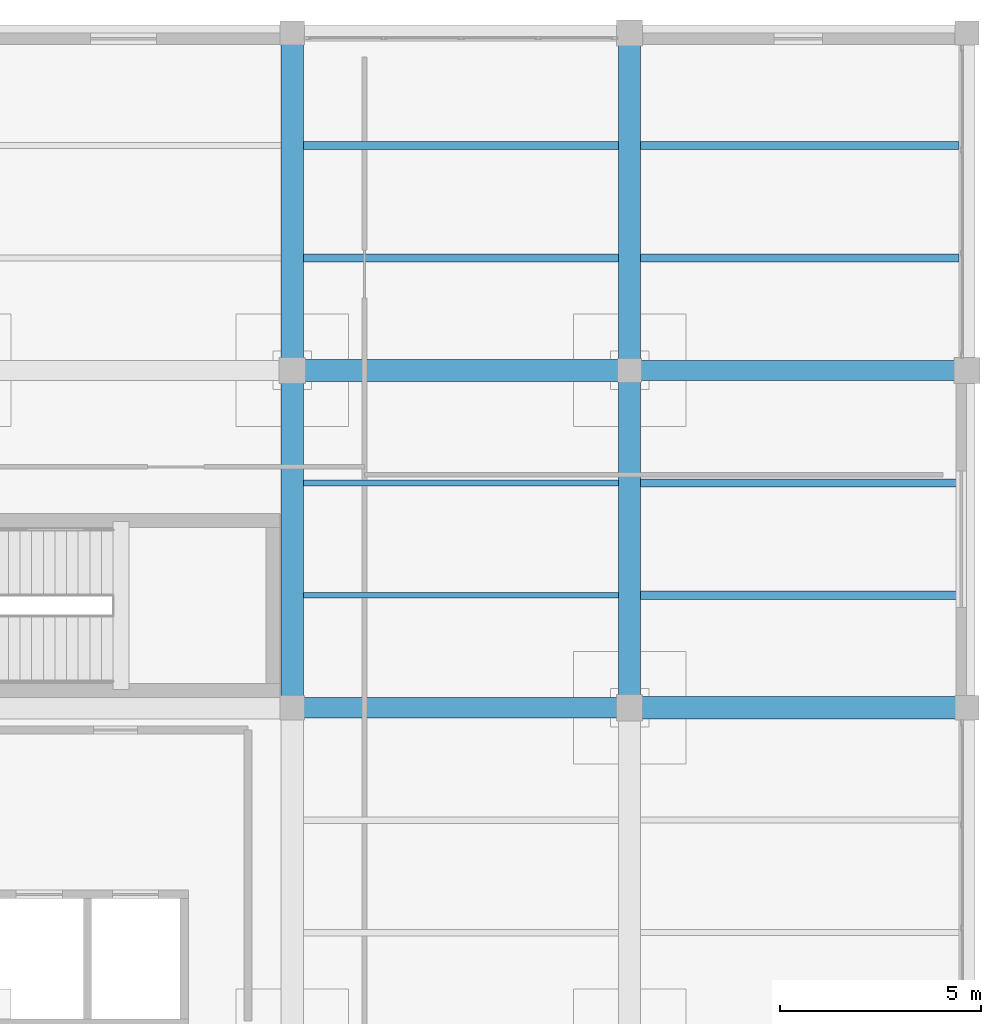
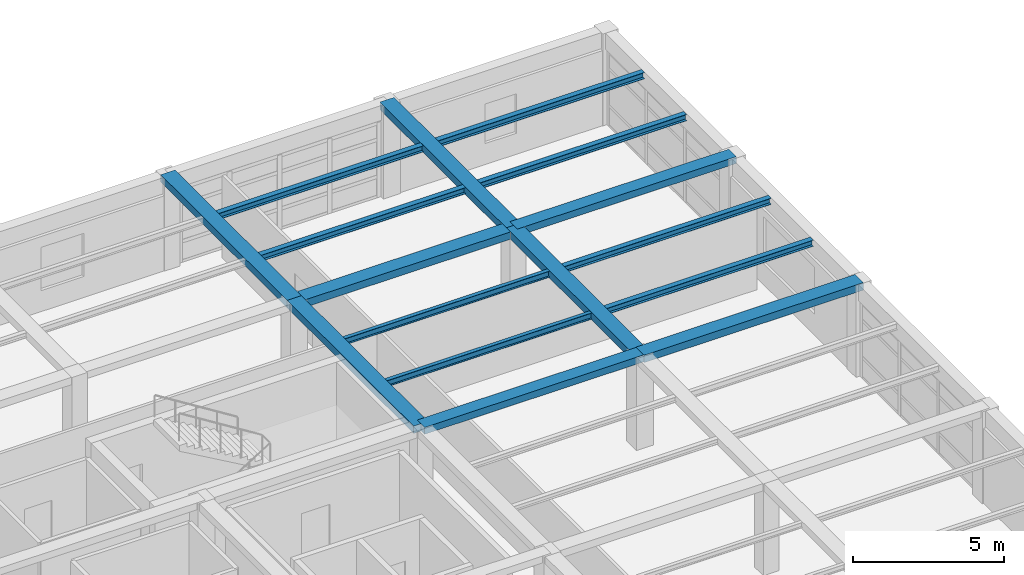
# One storey, part 14 of 26: 16 beams.
"""IFC4 building model written with IfcOpenShell, lengths in metres."""

from ifc_helpers import new_model, si_unit, direction, frame, origin, origin_2d, place, context, subcontext, project, spatial, rectangle, i_section, extrude, material, material_profile, profile_set, type_object, element, save


model = new_model("IFC4")

# Units and contexts
model_context = context("Model", 3, precision=1e-05, world=origin(), true_north=direction((0.0, 1.0)))
body_context = subcontext(model_context, "Body", "Model", "MODEL_VIEW")
ifc_project = project(units=[si_unit("LENGTHUNIT", "METRE"), si_unit("AREAUNIT", "SQUARE_METRE"), si_unit("VOLUMEUNIT", "CUBIC_METRE"), si_unit("PLANEANGLEUNIT", "RADIAN"), si_unit("MASSUNIT", "GRAM", prefix="KILO")], contexts=[model_context])

# Site, building, storey
site_placement = place(None, origin())
site = spatial("IfcSite", under=ifc_project, at=site_placement, CompositionType="ELEMENT")
building_placement = place(site_placement, origin())
building = spatial("IfcBuilding", under=site, at=building_placement, Name="Almacenes y Pasaje Nevantli", CompositionType="ELEMENT")
storey_placement = place(building_placement, frame((0.0, 0.0, 42.699951171875)))
storey = spatial("IfcBuildingStorey", under=building, at=storey_placement, Name="L10", CompositionType="ELEMENT", Elevation=42.699951171875)

# Beams
ifc_material_1 = material(Name="Concrete C35/45", Category="concrete")
ifc_material_profile_1 = material_profile(ifc_material_1, rectangle(XDim=0.5, YDim=0.280029296875, at=origin_2d()), Name="RC-BM-500x280")
ifc_profile_set_1 = profile_set([ifc_material_profile_1], Name="Concrete C35/45")
beam_type_1 = type_object("IfcBeamType", Name="BM-RC-500x280", PredefinedType="BEAM", material=ifc_profile_set_1)
beam_1_placement = place(storey_placement, frame((142.800048828125, 84.0, 3.580078125), z_axis=(1.0, 0.0, 0.0), x_axis=(0.0, 1.0, 0.0)))
element("IfcBeam", 1, at=beam_1_placement, inside=storey, type_object=beam_type_1, Name="L10 East-West Reinforced Concrete Beam #3810", PredefinedType="BEAM", context=body_context, shape_type="SweptSolid", body=[
    extrude(rectangle(XDim=0.5, YDim=0.280029296875, at=origin_2d()), origin(), (0.0, 0.0, 1.0), 8.39990234375),
])
beam_2_placement = place(storey_placement, frame((151.199951171875, 92.39990234375, 3.580078125), z_axis=(1.0, 0.0, 0.0), x_axis=(0.0, 1.0, 0.0)))
element("IfcBeam", 2, at=beam_2_placement, inside=storey, type_object=beam_type_1, Name="L10 East-West Reinforced Concrete Beam #3816", PredefinedType="BEAM", context=body_context, shape_type="SweptSolid", body=[
    extrude(rectangle(XDim=0.5, YDim=0.280029296875, at=origin_2d()), origin(), (0.0, 0.0, 1.0), 8.400146484375),
])
ifc_material_2 = material(Name="Concrete C35/45", Category="concrete")
ifc_material_profile_2 = material_profile(ifc_material_2, rectangle(XDim=0.550048828125, YDim=0.300048828125, at=origin_2d()), Name="RC-BM-550x300")
ifc_profile_set_2 = profile_set([ifc_material_profile_2], Name="Concrete C35/45")
beam_type_2 = type_object("IfcBeamType", Name="BM-RC-550x300", PredefinedType="BEAM", material=ifc_profile_set_2)
beam_3_placement = place(storey_placement, frame((151.199951171875, 84.0, 3.570068359375), z_axis=(1.0, 0.0, 0.0), x_axis=(0.0, 1.0, 0.0)))
element("IfcBeam", 3, at=beam_3_placement, inside=storey, type_object=beam_type_2, Name="L10 East-West Reinforced Concrete Beam #3811", PredefinedType="BEAM", context=body_context, shape_type="SweptSolid", body=[
    extrude(rectangle(XDim=0.550048828125, YDim=0.300048828125, at=origin_2d()), origin(), (0.0, 0.0, 1.0), 8.400146484375),
])
for number, where, z_axis, x_axis, name in (
    (4, (142.800048828125, 92.39990234375, 3.570068359375), (1.0, 0.0, 0.0), (0.0, 1.0, 0.0), "L10 East-West Reinforced Concrete Beam #3815"),
    (5, (142.800048828125, 84.0, 3.570068359375), (0.0, 1.0, 0.0), (-1.0, 0.0, 0.0), "L10 North-South Reinforced Concrete Beam #3834"),
):
    element("IfcBeam", number, at=place(storey_placement, frame(where, z_axis=z_axis, x_axis=x_axis)), inside=storey, type_object=beam_type_2, Name=name, PredefinedType="BEAM", context=body_context, shape_type="SweptSolid", body=[
        extrude(rectangle(XDim=0.550048828125, YDim=0.300048828125, at=origin_2d()), origin(), (0.0, 0.0, 1.0), 8.39990234375),
    ])
beam_4_placement = place(storey_placement, frame((142.800048828125, 92.39990234375, 3.570068359375), z_axis=(0.0, 1.0, 0.0), x_axis=(-1.0, 0.0, 0.0)))
element("IfcBeam", 6, at=beam_4_placement, inside=storey, type_object=beam_type_2, Name="L10 North-South Reinforced Concrete Beam #3835", PredefinedType="BEAM", context=body_context, shape_type="SweptSolid", body=[
    extrude(rectangle(XDim=0.550048828125, YDim=0.300048828125, at=origin_2d()), origin(), (0.0, 0.0, 1.0), 8.400146484375),
])
beam_5_placement = place(storey_placement, frame((151.199951171875, 84.0, 3.570068359375), z_axis=(0.0, 1.0, 0.0), x_axis=(-1.0, 0.0, 0.0)))
element("IfcBeam", 7, at=beam_5_placement, inside=storey, type_object=beam_type_2, Name="L10 North-South Reinforced Concrete Beam #3838", PredefinedType="BEAM", context=body_context, shape_type="SweptSolid", body=[
    extrude(rectangle(XDim=0.550048828125, YDim=0.300048828125, at=origin_2d()), origin(), (0.0, 0.0, 1.0), 8.39990234375),
])
beam_6_placement = place(storey_placement, frame((151.199951171875, 92.39990234375, 3.570068359375), z_axis=(0.0, 1.0, 0.0), x_axis=(-1.0, 0.0, 0.0)))
element("IfcBeam", 8, at=beam_6_placement, inside=storey, type_object=beam_type_2, Name="L10 North-South Reinforced Concrete Beam #3839", PredefinedType="BEAM", context=body_context, shape_type="SweptSolid", body=[
    extrude(rectangle(XDim=0.550048828125, YDim=0.300048828125, at=origin_2d()), origin(), (0.0, 0.0, 1.0), 8.400146484375),
])
ifc_material_3 = material(Name="Steel ASTM A992", Category="steel")
ifc_material_profile_3 = material_profile(ifc_material_3, i_section(OverallWidth=0.14697265625, OverallDepth=0.257080078125, WebThickness=0.006591796875, FlangeThickness=0.01123046875, at=origin_2d()), Name="IR 254x38.7")
ifc_profile_set_3 = profile_set([ifc_material_profile_3], Name="Steel ASTM A992")
beam_type_3 = type_object("IfcBeamType", Name="BM-STL-IR-254x38p7", PredefinedType="JOIST", material=ifc_profile_set_3)
for number, where, z_axis, x_axis, name in (
    (9, (143.074951171875, 86.800048828125, 3.58349609375), (1.0, 0.0, 0.0), (0.0, 1.0, 0.0), "L10 Secondary Steel Floor Joist #1503"),
    (10, (143.074951171875, 89.60009765625, 3.58349609375), (1.0, 0.0, 0.0), (0.0, 1.0, 0.0), "L10 Secondary Steel Floor Joist #1504"),
):
    element("IfcBeam", number, at=place(storey_placement, frame(where, z_axis=z_axis, x_axis=x_axis)), inside=storey, type_object=beam_type_3, Name=name, PredefinedType="JOIST", context=body_context, shape_type="SweptSolid", body=[
        extrude(i_section(OverallWidth=0.14697265625, OverallDepth=0.257080078125, WebThickness=0.006591796875, FlangeThickness=0.01123046875, at=origin_2d()), origin(), (0.0, 0.0, 1.0), 7.85009765625),
    ])
ifc_material_4 = material(Name="Steel ASTM A992", Category="steel")
ifc_material_profile_4 = material_profile(ifc_material_4, i_section(OverallWidth=0.202880859375, OverallDepth=0.25390625, WebThickness=0.00732421875, FlangeThickness=0.010986328125, at=origin_2d()), Name="IR 254x49.1")
ifc_profile_set_4 = profile_set([ifc_material_profile_4], Name="Steel ASTM A992")
beam_type_4 = type_object("IfcBeamType", Name="BM-STL-IR-254x49p1", PredefinedType="JOIST", material=ifc_profile_set_4)
for number, where, z_axis, x_axis, name in (
    (11, (143.074951171875, 95.199951171875, 3.5849609375), (1.0, 0.0, 0.0), (0.0, 1.0, 0.0), "L10 Secondary Steel Floor Joist #1505"),
    (12, (143.074951171875, 98.0, 3.5849609375), (1.0, 0.0, 0.0), (0.0, 1.0, 0.0), "L10 Secondary Steel Floor Joist #1506"),
):
    element("IfcBeam", number, at=place(storey_placement, frame(where, z_axis=z_axis, x_axis=x_axis)), inside=storey, type_object=beam_type_4, Name=name, PredefinedType="JOIST", context=body_context, shape_type="SweptSolid", body=[
        extrude(i_section(OverallWidth=0.202880859375, OverallDepth=0.25390625, WebThickness=0.00732421875, FlangeThickness=0.010986328125, at=origin_2d()), origin(), (0.0, 0.0, 1.0), 7.85009765625),
    ])
for number, where, z_axis, x_axis, name in (
    (13, (151.47509765625, 86.800048828125, 3.5849609375), (1.0, 0.0, 0.0), (0.0, 1.0, 0.0), "L10 Secondary Steel Floor Joist #1511"),
    (14, (151.47509765625, 89.60009765625, 3.5849609375), (1.0, 0.0, 0.0), (0.0, 1.0, 0.0), "L10 Secondary Steel Floor Joist #1512"),
):
    element("IfcBeam", number, at=place(storey_placement, frame(where, z_axis=z_axis, x_axis=x_axis)), inside=storey, type_object=beam_type_4, Name=name, PredefinedType="JOIST", context=body_context, shape_type="SweptSolid", body=[
        extrude(i_section(OverallWidth=0.202880859375, OverallDepth=0.25390625, WebThickness=0.00732421875, FlangeThickness=0.010986328125, at=origin_2d()), origin(), (0.0, 0.0, 1.0), 7.9248046875),
    ])
ifc_material_5 = material(Name="Steel ASTM A992", Category="steel")
ifc_material_profile_5 = material_profile(ifc_material_5, i_section(OverallWidth=0.2041015625, OverallDepth=0.258056640625, WebThickness=0.008056640625, FlangeThickness=0.013427734375, at=origin_2d()), Name="IR 254x58.0")
ifc_profile_set_5 = profile_set([ifc_material_profile_5], Name="Steel ASTM A992")
beam_type_5 = type_object("IfcBeamType", Name="BM-STL-IR-254x58p0", PredefinedType="JOIST", material=ifc_profile_set_5)
for number, where, z_axis, x_axis, name in (
    (15, (151.47509765625, 95.199951171875, 3.5830078125), (1.0, 0.0, 0.0), (0.0, 1.0, 0.0), "L10 Secondary Steel Floor Joist #1513"),
    (16, (151.47509765625, 98.0, 3.5830078125), (1.0, 0.0, 0.0), (0.0, 1.0, 0.0), "L10 Secondary Steel Floor Joist #1514"),
):
    element("IfcBeam", number, at=place(storey_placement, frame(where, z_axis=z_axis, x_axis=x_axis)), inside=storey, type_object=beam_type_5, Name=name, PredefinedType="JOIST", context=body_context, shape_type="SweptSolid", body=[
        extrude(i_section(OverallWidth=0.2041015625, OverallDepth=0.258056640625, WebThickness=0.008056640625, FlangeThickness=0.013427734375, at=origin_2d()), origin(), (0.0, 0.0, 1.0), 7.9248046875),
    ])

save(model, "model.ifc")
